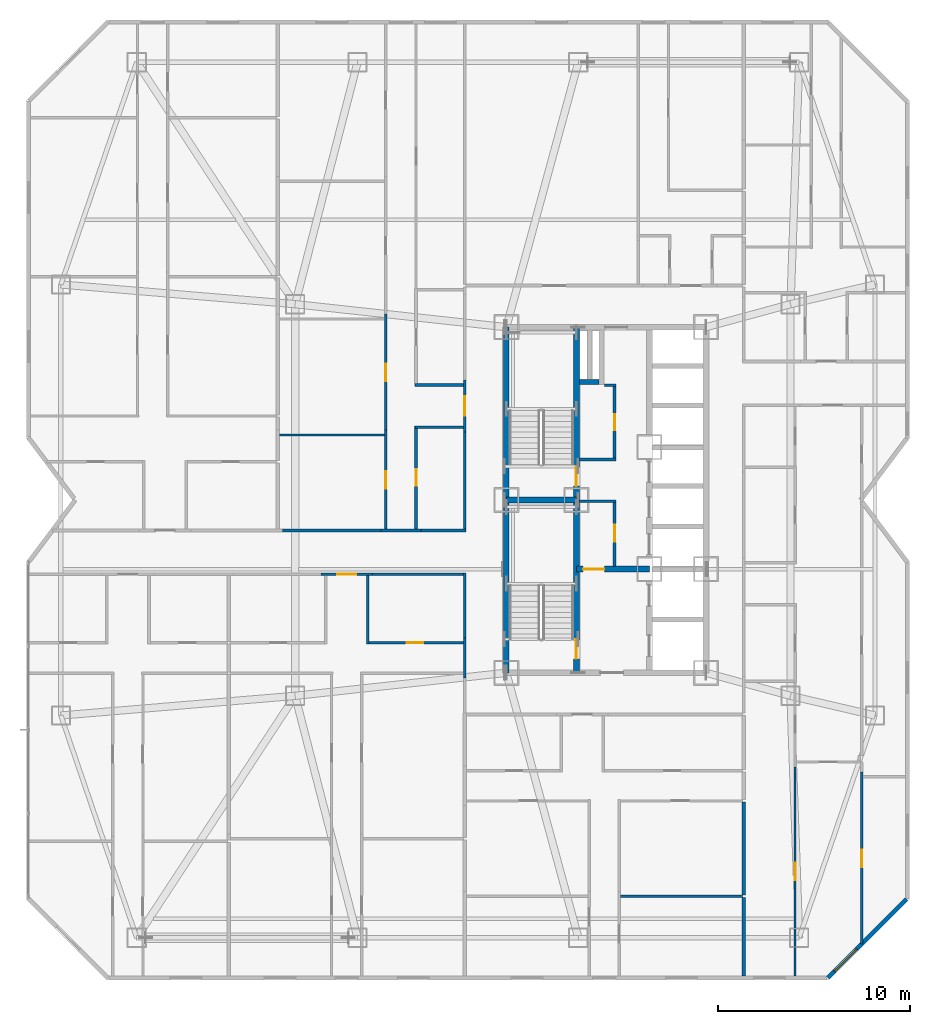
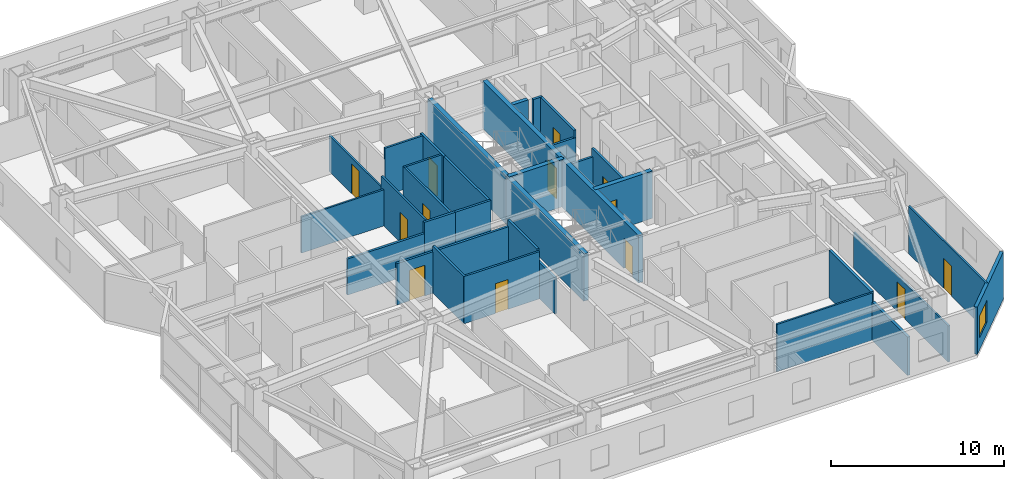
# One storey, part 13 of 18: 35 walls, 13 doors, 1 window, 14 openings.
"""IFC4 building model written with IfcOpenShell, lengths in metres."""

from ifc_helpers import new_model, si_unit, direction, frame, frame_2d, origin, place, context, subcontext, project, spatial, rectangle, extrude, material, layer, layer_set, type_object, element, fill, save


model = new_model("IFC4")

# Units and contexts
model_context = context("Model", 3, precision=1e-05, world=origin(), true_north=direction((0.0, 1.0)))
body_context = subcontext(model_context, "Body", "Model", "MODEL_VIEW")
ifc_project = project(units=[si_unit("LENGTHUNIT", "METRE"), si_unit("AREAUNIT", "SQUARE_METRE"), si_unit("VOLUMEUNIT", "CUBIC_METRE"), si_unit("PLANEANGLEUNIT", "RADIAN"), si_unit("MASSUNIT", "GRAM", prefix="KILO")], contexts=[model_context])

# Site, building, storey
site_placement = place(None, origin())
site = spatial("IfcSite", under=ifc_project, at=site_placement, CompositionType="ELEMENT")
building_placement = place(site_placement, origin())
building = spatial("IfcBuilding", under=site, at=building_placement, Name="Khamvora Tower", CompositionType="ELEMENT")
storey_placement = place(building_placement, frame((0.0, 0.0, 80.75)))
storey = spatial("IfcBuildingStorey", under=building, at=storey_placement, Name="L20", CompositionType="ELEMENT", Elevation=80.75)

# Walls
ifc_material_1 = material(Name="Concrete C50/60", Category="concrete")
ifc_layer_1 = layer(ifc_material_1, 0.300048828125)
ifc_layer_set_1 = layer_set([ifc_layer_1], Name="Concrete C50/60")
wall_type_1 = type_object("IfcWallType", Name="WAL-CORE-300", PredefinedType="SHEAR", material=ifc_layer_set_1)
for number, where, z_axis, x_axis, name in (
    (1, (29.0, 19.0, 0.0), (0.0, 0.0, 1.0), (0.0, 1.0, 0.0), "L20 central core west south wall"),
    (2, (29.0, 28.0, 0.0), (0.0, 0.0, 1.0), (0.0, 1.0, 0.0), "L20 central core west north wall"),
):
    element("IfcWall", number, at=place(storey_placement, frame(where, z_axis=z_axis, x_axis=x_axis)), inside=storey, type_object=wall_type_1, Name=name, PredefinedType="SHEAR", context=body_context, shape_type="SweptSolid", body=[
        extrude(rectangle(XDim=9.0, YDim=0.300048828125, at=frame_2d((4.5, 0.0))), origin(), (0.0, 0.0, 1.0), 3.330078125),
    ])

# Wall, opening, door
wall_1_placement = place(storey_placement, frame((32.64990234375, 19.0, 0.0), z_axis=(0.0, 0.0, 1.0), x_axis=(0.0, 1.0, 0.0)))
wall_1 = element("IfcWall", 3, at=wall_1_placement, inside=storey, type_object=wall_type_1, Name="L20 central core stair south spine wall", PredefinedType="SHEAR", context=body_context, shape_type="SweptSolid", body=[
    extrude(rectangle(XDim=9.0, YDim=0.300048828125, at=frame_2d((4.5, 0.0))), origin(), (0.0, 0.0, 1.0), 3.330078125),
])
opening_1_placement = place(wall_1_placement, frame((0.719970703125, 0.0, 0.0)))
opening_1 = element("IfcOpeningElement", 4, at=opening_1_placement, cuts=wall_1, Name="Opening D-ST1", PredefinedType="OPENING", context=body_context, shape_type="SweptSolid", body=[
    extrude(rectangle(XDim=1.0, YDim=2.14990234375, at=frame_2d((0.5, 1.074951171875))), frame((0.0, 0.159912109375, 0.0), z_axis=(0.0, -1.0, 0.0), x_axis=(1.0, 0.0, 0.0)), (0.0, 0.0, 1.0), 0.320068359375),
])
ifc_material_2 = material(Name="Powder-Coated Steel and Hardwood Leaf", Category="steel")
door_type_1 = type_object("IfcDoorType", Name="DOR-STAIR-1000", OperationType="NOTDEFINED", PredefinedType="DOOR", material=ifc_material_2)
door_1_placement = place(opening_1_placement, origin())
door_1 = element("IfcDoor", 5, at=door_1_placement, inside=storey, type_object=door_type_1, Name="L20 exit stair ST-01 fire door", OperationType="SINGLE_SWING_RIGHT", OverallHeight=2.14990234375, OverallWidth=1.0, PredefinedType="DOOR", context=body_context, shape_type="SweptSolid", body=[
    extrude(rectangle(XDim=1.0, YDim=2.14990234375, at=frame_2d((0.5, 1.074951171875))), frame((0.0, 0.02490234375, 0.0), z_axis=(0.0, -1.0, 0.0), x_axis=(1.0, 0.0, 0.0)), (0.0, 0.0, 1.0), 0.050048828125),
])
fill(opening_1, door_1)

wall_2_placement = place(storey_placement, frame((32.64990234375, 28.0, 0.0), z_axis=(0.0, 0.0, 1.0), x_axis=(0.0, 1.0, 0.0)))
wall_2 = element("IfcWall", 6, at=wall_2_placement, inside=storey, type_object=wall_type_1, Name="L20 central core stair north spine wall", PredefinedType="SHEAR", context=body_context, shape_type="SweptSolid", body=[
    extrude(rectangle(XDim=9.0, YDim=0.300048828125, at=frame_2d((4.5, 0.0))), origin(), (0.0, 0.0, 1.0), 3.330078125),
])
opening_2_placement = place(wall_2_placement, frame((0.719970703125, 0.0, 0.0)))
opening_2 = element("IfcOpeningElement", 7, at=opening_2_placement, cuts=wall_2, Name="Opening D-ST1", PredefinedType="OPENING", context=body_context, shape_type="SweptSolid", body=[
    extrude(rectangle(XDim=1.0, YDim=2.14990234375, at=frame_2d((0.5, 1.074951171875))), frame((0.0, 0.159912109375, 0.0), z_axis=(0.0, -1.0, 0.0), x_axis=(1.0, 0.0, 0.0)), (0.0, 0.0, 1.0), 0.320068359375),
])
door_2_placement = place(opening_2_placement, origin())
door_2 = element("IfcDoor", 8, at=door_2_placement, inside=storey, type_object=door_type_1, Name="L20 exit stair ST-02 fire door", OperationType="SINGLE_SWING_RIGHT", OverallHeight=2.14990234375, OverallWidth=1.0, PredefinedType="DOOR", context=body_context, shape_type="SweptSolid", body=[
    extrude(rectangle(XDim=1.0, YDim=2.14990234375, at=frame_2d((0.5, 1.074951171875))), frame((0.0, 0.02490234375, 0.0), z_axis=(0.0, -1.0, 0.0), x_axis=(1.0, 0.0, 0.0)), (0.0, 0.0, 1.0), 0.050048828125),
])
fill(opening_2, door_2)

# Wall
wall_3_placement = place(storey_placement, frame((29.0, 28.0, 0.0), z_axis=(0.0, 0.0, 1.0), x_axis=(1.0, 0.0, 0.0)))
element("IfcWall", 9, at=wall_3_placement, inside=storey, type_object=wall_type_1, Name="L20 central core stair cross wall", PredefinedType="SHEAR", context=body_context, shape_type="SweptSolid", body=[
    extrude(rectangle(XDim=3.64990234375, YDim=0.300048828125, at=frame_2d((1.824951171875, 0.0))), origin(), (0.0, 0.0, 1.0), 3.330078125),
])

# Wall, opening, door
wall_4_placement = place(storey_placement, frame((32.64990234375, 24.39990234375, 0.0), z_axis=(0.0, 0.0, 1.0), x_axis=(1.0, 0.0, 0.0)))
wall_4 = element("IfcWall", 10, at=wall_4_placement, inside=storey, type_object=wall_type_1, Name="L20 central core firefighting lobby north wall", PredefinedType="SHEAR", context=body_context, shape_type="SweptSolid", body=[
    extrude(rectangle(XDim=3.800048828125, YDim=0.300048828125, at=frame_2d((1.89990234375, 0.0))), origin(), (0.0, 0.0, 1.0), 3.330078125),
])
opening_3_placement = place(wall_4_placement, frame((0.35009765625, 0.0, 0.0)))
opening_3 = element("IfcOpeningElement", 11, at=opening_3_placement, cuts=wall_4, Name="Opening D-FF1", PredefinedType="OPENING", context=body_context, shape_type="SweptSolid", body=[
    extrude(rectangle(XDim=1.10009765625, YDim=2.14990234375, at=frame_2d((0.550048828125, 1.074951171875))), frame((0.0, 0.159912109375, 0.0), z_axis=(0.0, -1.0, 0.0), x_axis=(1.0, 0.0, 0.0)), (0.0, 0.0, 1.0), 0.320068359375),
])
door_type_2 = type_object("IfcDoorType", Name="DOR-FFLOB-1100", OperationType="NOTDEFINED", PredefinedType="DOOR", material=ifc_material_2)
door_3_placement = place(opening_3_placement, origin())
door_3 = element("IfcDoor", 12, at=door_3_placement, inside=storey, type_object=door_type_2, Name="L20 firefighting lobby smoke-seal fire door", OperationType="SINGLE_SWING_LEFT", OverallHeight=2.14990234375, OverallWidth=1.10009765625, PredefinedType="DOOR", context=body_context, shape_type="SweptSolid", body=[
    extrude(rectangle(XDim=1.10009765625, YDim=2.14990234375, at=frame_2d((0.550048828125, 1.074951171875))), frame((0.0, 0.02490234375, 0.0), z_axis=(0.0, -1.0, 0.0), x_axis=(1.0, 0.0, 0.0)), (0.0, 0.0, 1.0), 0.050048828125),
])
fill(opening_3, door_3)

# Wall
ifc_material_3 = material(Name="Fire-Rated Drywall and Steel Stud", Category="steel")
ifc_layer_2 = layer(ifc_material_3, 0.14990234375)
ifc_layer_set_2 = layer_set([ifc_layer_2], Name="Fire-Rated Drywall and Steel Stud")
wall_type_2 = type_object("IfcWallType", Name="WAL-CORR-150", PredefinedType="STANDARD", material=ifc_layer_set_2)
wall_5_placement = place(storey_placement, frame((32.7939453125, 30.114990234375, 0.0), z_axis=(0.0, 0.0, 1.0), x_axis=(1.0, 0.0, 0.0)))
element("IfcWall", 13, at=wall_5_placement, inside=storey, type_object=wall_type_2, Name="L20 interior partition wall 001", PredefinedType="STANDARD", context=body_context, shape_type="SweptSolid", body=[
    extrude(rectangle(XDim=1.906005859375, YDim=0.14990234375, at=frame_2d((0.953125, 0.0))), origin(), (0.0, 0.0, 1.0), 2.787109375),
])

# Wall, opening, door
wall_6_placement = place(storey_placement, frame((34.635009765625, 30.052001953125, 0.0), z_axis=(0.0, 0.0, 1.0), x_axis=(0.0, 1.0, 0.0)))
wall_6 = element("IfcWall", 14, at=wall_6_placement, inside=storey, type_object=wall_type_2, Name="L20 interior partition wall 002", PredefinedType="STANDARD", context=body_context, shape_type="SweptSolid", body=[
    extrude(rectangle(XDim=3.988037109375, YDim=0.14990234375, at=frame_2d((1.994140625, 0.0))), origin(), (0.0, 0.0, 1.0), 3.330078125),
])
opening_4_placement = place(wall_6_placement, frame((1.569091796875, 0.0, 0.0)))
opening_4 = element("IfcOpeningElement", 15, at=opening_4_placement, cuts=wall_6, Name="Opening D-WC1", PredefinedType="OPENING", context=body_context, shape_type="SweptSolid", body=[
    extrude(rectangle(XDim=0.85009765625, YDim=2.10009765625, at=frame_2d((0.425048828125, 1.050048828125))), frame((0.0, 0.0849609375, 0.0), z_axis=(0.0, -1.0, 0.0), x_axis=(1.0, 0.0, 0.0)), (0.0, 0.0, 1.0), 0.169921875),
])
door_type_3 = type_object("IfcDoorType", Name="DOR-WET-850", OperationType="NOTDEFINED", PredefinedType="DOOR", material=ifc_material_2)
door_4_placement = place(opening_4_placement, origin())
door_4 = element("IfcDoor", 16, at=door_4_placement, inside=storey, type_object=door_type_3, Name="L20 interior door PLL-CS1", OperationType="SINGLE_SWING_RIGHT", OverallHeight=2.10009765625, OverallWidth=0.85009765625, PredefinedType="DOOR", context=body_context, shape_type="SweptSolid", body=[
    extrude(rectangle(XDim=0.85009765625, YDim=2.10009765625, at=frame_2d((0.425048828125, 1.050048828125))), frame((0.0, 0.02490234375, 0.0), z_axis=(0.0, -1.0, 0.0), x_axis=(1.0, 0.0, 0.0)), (0.0, 0.0, 1.0), 0.050048828125),
])
fill(opening_4, door_4)

# Wall
wall_7_placement = place(storey_placement, frame((34.699951171875, 33.97509765625, 0.0), z_axis=(0.0, 0.0, 1.0), x_axis=(-1.0, 0.0, 0.0)))
element("IfcWall", 17, at=wall_7_placement, inside=storey, type_object=wall_type_2, Name="L20 interior partition wall 003", PredefinedType="STANDARD", context=body_context, shape_type="SweptSolid", body=[
    extrude(rectangle(XDim=0.599853515625, YDim=0.14990234375, at=frame_2d((0.2998046875, 0.0))), origin(), (0.0, 0.0, 1.0), 3.330078125),
])

# Wall, opening, door
wall_8_placement = place(storey_placement, frame((34.635009765625, 24.5439453125, 0.0), z_axis=(0.0, 0.0, 1.0), x_axis=(0.0, 1.0, 0.0)))
wall_8 = element("IfcWall", 18, at=wall_8_placement, inside=storey, type_object=wall_type_2, Name="L20 interior partition wall 004", PredefinedType="STANDARD", context=body_context, shape_type="SweptSolid", body=[
    extrude(rectangle(XDim=3.4560546875, YDim=0.14990234375, at=frame_2d((1.72802734375, 0.0))), origin(), (0.0, 0.0, 1.0), 3.330078125),
])
opening_5_placement = place(wall_8_placement, frame((1.278076171875, 0.0, 0.0)))
opening_5 = element("IfcOpeningElement", 19, at=opening_5_placement, cuts=wall_8, Name="Opening D-RM1", PredefinedType="OPENING", context=body_context, shape_type="SweptSolid", body=[
    extrude(rectangle(XDim=0.89990234375, YDim=2.10009765625, at=frame_2d((0.449951171875, 1.050048828125))), frame((0.0, 0.0849609375, 0.0), z_axis=(0.0, -1.0, 0.0), x_axis=(1.0, 0.0, 0.0)), (0.0, 0.0, 1.0), 0.169921875),
])
door_type_4 = type_object("IfcDoorType", Name="DOR-ROOM-900", OperationType="NOTDEFINED", PredefinedType="DOOR", material=ifc_material_2)
door_5_placement = place(opening_5_placement, origin())
door_5 = element("IfcDoor", 20, at=door_5_placement, inside=storey, type_object=door_type_4, Name="L20 interior door PLL-CS2", OperationType="SINGLE_SWING_LEFT", OverallHeight=2.10009765625, OverallWidth=0.89990234375, PredefinedType="DOOR", context=body_context, shape_type="SweptSolid", body=[
    extrude(rectangle(XDim=0.89990234375, YDim=2.10009765625, at=frame_2d((0.449951171875, 1.050048828125))), frame((0.0, 0.02490234375, 0.0), z_axis=(0.0, -1.0, 0.0), x_axis=(1.0, 0.0, 0.0)), (0.0, 0.0, 1.0), 0.050048828125),
])
fill(opening_5, door_5)

# Walls
wall_9_placement = place(storey_placement, frame((34.699951171875, 27.93505859375, 0.0), z_axis=(0.0, 0.0, 1.0), x_axis=(-1.0, 0.0, 0.0)))
element("IfcWall", 21, at=wall_9_placement, inside=storey, type_object=wall_type_2, Name="L20 interior partition wall 005", PredefinedType="STANDARD", context=body_context, shape_type="SweptSolid", body=[
    extrude(rectangle(XDim=1.906005859375, YDim=0.14990234375, at=frame_2d((0.953125, 0.0))), origin(), (0.0, 0.0, 1.0), 2.787109375),
])
wall_10_placement = place(storey_placement, frame((26.8349609375, 18.72607421875, 0.0), z_axis=(0.0, 0.0, 1.0), x_axis=(0.0, 1.0, 0.0)))
element("IfcWall", 22, at=wall_10_placement, inside=storey, type_object=wall_type_2, Name="L20 interior partition wall 010", PredefinedType="STANDARD", context=body_context, shape_type="SweptSolid", body=[
    extrude(rectangle(XDim=2.077880859375, YDim=0.14990234375, at=frame_2d((1.0390625, 0.0))), origin(), (0.0, 0.0, 1.0), 2.547119140625),
])

# Wall, opening, door
wall_11_placement = place(storey_placement, frame((22.032958984375, 24.135009765625, 0.0), z_axis=(0.0, 0.0, 1.0), x_axis=(-1.0, 0.0, 0.0)))
wall_11 = element("IfcWall", 23, at=wall_11_placement, inside=storey, type_object=wall_type_2, Name="L20 interior partition wall 011", PredefinedType="STANDARD", context=body_context, shape_type="SweptSolid", body=[
    extrude(rectangle(XDim=2.697998046875, YDim=0.14990234375, at=frame_2d((1.34912109375, 0.0))), origin(), (0.0, 0.0, 1.0), 2.9130859375),
])
opening_6_placement = place(wall_11_placement, frame((0.84912109375, 0.0, 0.0)))
opening_6 = element("IfcOpeningElement", 24, at=opening_6_placement, cuts=wall_11, Name="Opening D-U1", PredefinedType="OPENING", context=body_context, shape_type="SweptSolid", body=[
    extrude(rectangle(XDim=1.0, YDim=2.14990234375, at=frame_2d((0.5, 1.074951171875))), frame((0.0, 0.0849609375, 0.0), z_axis=(0.0, -1.0, 0.0), x_axis=(1.0, 0.0, 0.0)), (0.0, 0.0, 1.0), 0.169921875),
])
door_type_5 = type_object("IfcDoorType", Name="DOR-UNIT-1000", OperationType="NOTDEFINED", PredefinedType="DOOR", material=ifc_material_2)
door_6_placement = place(opening_6_placement, origin())
door_6 = element("IfcDoor", 25, at=door_6_placement, inside=storey, type_object=door_type_5, Name="L20 interior door COR-20WA2H", OperationType="SINGLE_SWING_RIGHT", OverallHeight=2.14990234375, OverallWidth=1.0, PredefinedType="DOOR", context=body_context, shape_type="SweptSolid", body=[
    extrude(rectangle(XDim=1.0, YDim=2.14990234375, at=frame_2d((0.5, 1.074951171875))), frame((0.0, 0.02490234375, 0.0), z_axis=(0.0, -1.0, 0.0), x_axis=(1.0, 0.0, 0.0)), (0.0, 0.0, 1.0), 0.050048828125),
])
fill(opening_6, door_6)

# Walls
wall_12_placement = place(storey_placement, frame((26.8349609375, 20.803955078125, 0.0), z_axis=(0.0, 0.0, 1.0), x_axis=(0.0, 1.0, 0.0)))
element("IfcWall", 26, at=wall_12_placement, inside=storey, type_object=wall_type_2, Name="L20 interior partition wall 012", PredefinedType="STANDARD", context=body_context, shape_type="SweptSolid", body=[
    extrude(rectangle(XDim=3.39599609375, YDim=0.14990234375, at=frame_2d((1.697998046875, 0.0))), origin(), (0.0, 0.0, 1.0), 3.330078125),
])
wall_13_placement = place(storey_placement, frame((26.89794921875, 24.135009765625, 0.0), z_axis=(0.0, 0.0, 1.0), x_axis=(-1.0, 0.0, 0.0)))
element("IfcWall", 27, at=wall_13_placement, inside=storey, type_object=wall_type_2, Name="L20 interior partition wall 013", PredefinedType="STANDARD", context=body_context, shape_type="SweptSolid", body=[
    extrude(rectangle(XDim=4.864990234375, YDim=0.14990234375, at=frame_2d((2.4326171875, 0.0))), origin(), (0.0, 0.0, 1.0), 2.9130859375),
])
wall_14_placement = place(storey_placement, frame((22.468017578125, 26.4150390625, 0.0), z_axis=(0.0, 0.0, 1.0), x_axis=(1.0, 0.0, 0.0)))
element("IfcWall", 28, at=wall_14_placement, inside=storey, type_object=wall_type_2, Name="L20 interior partition wall 020", PredefinedType="STANDARD", context=body_context, shape_type="SweptSolid", body=[
    extrude(rectangle(XDim=2.077880859375, YDim=0.14990234375, at=frame_2d((1.0390625, 0.0))), origin(), (0.0, 0.0, 1.0), 3.330078125),
])

# Wall, opening, door
wall_15_placement = place(storey_placement, frame((26.8349609375, 31.5419921875, 0.0), z_axis=(0.0, 0.0, 1.0), x_axis=(0.0, 1.0, 0.0)))
wall_15 = element("IfcWall", 29, at=wall_15_placement, inside=storey, type_object=wall_type_2, Name="L20 interior partition wall 021", PredefinedType="STANDARD", context=body_context, shape_type="SweptSolid", body=[
    extrude(rectangle(XDim=2.697998046875, YDim=0.14990234375, at=frame_2d((1.34912109375, 0.0))), origin(), (0.0, 0.0, 1.0), 3.330078125),
])
opening_7_placement = place(wall_15_placement, frame((0.84912109375, 0.0, 0.0)))
opening_7 = element("IfcOpeningElement", 30, at=opening_7_placement, cuts=wall_15, Name="Opening D-U1", PredefinedType="OPENING", context=body_context, shape_type="SweptSolid", body=[
    extrude(rectangle(XDim=1.0, YDim=2.14990234375, at=frame_2d((0.5, 1.074951171875))), frame((0.0, 0.0849609375, 0.0), z_axis=(0.0, -1.0, 0.0), x_axis=(1.0, 0.0, 0.0)), (0.0, 0.0, 1.0), 0.169921875),
])
door_7_placement = place(opening_7_placement, origin())
door_7 = element("IfcDoor", 31, at=door_7_placement, inside=storey, type_object=door_type_5, Name="L20 interior door COR-20WCH", OperationType="SINGLE_SWING_RIGHT", OverallHeight=2.14990234375, OverallWidth=1.0, PredefinedType="DOOR", context=body_context, shape_type="SweptSolid", body=[
    extrude(rectangle(XDim=1.0, YDim=2.14990234375, at=frame_2d((0.5, 1.074951171875))), frame((0.0, 0.02490234375, 0.0), z_axis=(0.0, -1.0, 0.0), x_axis=(1.0, 0.0, 0.0)), (0.0, 0.0, 1.0), 0.050048828125),
])
fill(opening_7, door_7)

# Walls
wall_16_placement = place(storey_placement, frame((24.5458984375, 26.4150390625, 0.0), z_axis=(0.0, 0.0, 1.0), x_axis=(1.0, 0.0, 0.0)))
element("IfcWall", 32, at=wall_16_placement, inside=storey, type_object=wall_type_2, Name="L20 interior partition wall 023", PredefinedType="STANDARD", context=body_context, shape_type="SweptSolid", body=[
    extrude(rectangle(XDim=2.35400390625, YDim=0.14990234375, at=frame_2d((1.177001953125, 0.0))), origin(), (0.0, 0.0, 1.0), 3.330078125),
])
wall_17_placement = place(storey_placement, frame((26.8349609375, 26.35205078125, 0.0), z_axis=(0.0, 0.0, 1.0), x_axis=(0.0, 1.0, 0.0)))
element("IfcWall", 33, at=wall_17_placement, inside=storey, type_object=wall_type_2, Name="L20 interior partition wall 024", PredefinedType="STANDARD", context=body_context, shape_type="SweptSolid", body=[
    extrude(rectangle(XDim=5.18994140625, YDim=0.14990234375, at=frame_2d((2.594970703125, 0.0))), origin(), (0.0, 0.0, 1.0), 3.330078125),
])
wall_18_placement = place(storey_placement, frame((17.35400390625, 26.4150390625, 0.0), z_axis=(0.0, 0.0, 1.0), x_axis=(1.0, 0.0, 0.0)))
element("IfcWall", 34, at=wall_18_placement, inside=storey, type_object=wall_type_2, Name="L20 interior partition wall 025", PredefinedType="STANDARD", context=body_context, shape_type="SweptSolid", body=[
    extrude(rectangle(XDim=5.114013671875, YDim=0.14990234375, at=frame_2d((2.55712890625, 0.0))), origin(), (0.0, 0.0, 1.0), 2.547119140625),
])
ifc_material_4 = material(Name="Acoustic Double-Stud Fire Wall", Category="gypsum")
ifc_layer_3 = layer(ifc_material_4, 0.179931640625)
ifc_layer_set_3 = layer_set([ifc_layer_3], Name="Acoustic Double-Stud Fire Wall")
wall_type_3 = type_object("IfcWallType", Name="WAL-CORR-180", PredefinedType="STANDARD", material=ifc_layer_set_3)
wall_19_placement = place(storey_placement, frame((41.364990234375, 7.2958984375, 0.0), z_axis=(0.0, 0.0, 1.0), x_axis=(0.0, -1.0, 0.0)))
element("IfcWall", 35, at=wall_19_placement, inside=storey, type_object=wall_type_3, Name="L20 interior partition wall 133", PredefinedType="STANDARD", context=body_context, shape_type="SweptSolid", body=[
    extrude(rectangle(XDim=4.083984375, YDim=0.179931640625, at=frame_2d((2.0419921875, 0.0))), origin(), (0.0, 0.0, 1.0), 2.702880859375),
])
wall_20_placement = place(storey_placement, frame((41.364990234375, 12.260986328125, 0.0), z_axis=(0.0, 0.0, 1.0), x_axis=(0.0, -1.0, 0.0)))
element("IfcWall", 36, at=wall_20_placement, inside=storey, type_object=wall_type_3, Name="L20 interior partition wall 134", PredefinedType="STANDARD", context=body_context, shape_type="SweptSolid", body=[
    extrude(rectangle(XDim=4.8349609375, YDim=0.179931640625, at=frame_2d((2.41748046875, 0.0))), origin(), (0.0, 0.0, 1.0), 3.330078125),
])

# Wall, opening, window
ifc_material_5 = material(Name="Precast concrete C40/50", Category="concrete")
ifc_layer_4 = layer(ifc_material_5, 0.219970703125)
ifc_layer_set_4 = layer_set([ifc_layer_4], Name="Precast concrete C40/50")
wall_type_4 = type_object("IfcWallType", Name="WAL-EXT-220", PredefinedType="STANDARD", material=ifc_layer_set_4)
wall_21_placement = place(storey_placement, frame((49.840087890625, 7.196044921875, 0.0), z_axis=(0.0, 0.0, 1.0), x_axis=(-0.707127905562, -0.70708565618, 0.0)))
wall_21 = element("IfcWall", 37, at=wall_21_placement, inside=storey, type_object=wall_type_4, Name="L20 exterior facade wall 13.1", PredefinedType="STANDARD", context=body_context, shape_type="SweptSolid", body=[
    extrude(rectangle(XDim=5.778564453125, YDim=0.219970703125, at=frame_2d((2.88916015625, 0.0))), origin(), (0.0, 0.0, 1.0), 3.330078125),
])
opening_8_placement = place(wall_21_placement, frame((3.65087890625, 0.0, 0.85009765625)))
opening_8 = element("IfcOpeningElement", 38, at=opening_8_placement, cuts=wall_21, Name="Opening WN-06", PredefinedType="OPENING", context=body_context, shape_type="SweptSolid", body=[
    extrude(rectangle(XDim=1.64990234375, YDim=1.550048828125, at=frame_2d((0.824951171875, 0.77490234375))), frame((0.0, 0.119873046875, 0.0), z_axis=(0.0, -1.0, 0.0), x_axis=(1.0, 0.0, 0.0)), (0.0, 0.0, 1.0), 0.239990234375),
])
ifc_material_6 = material(Name="Low-E Laminated Double Glazing", Category="glass")
window_type = type_object("IfcWindowType", Name="WIN-VIS-1650x1550", PartitioningType="SINGLE_PANEL", PredefinedType="WINDOW", material=ifc_material_6)
window_placement = place(opening_8_placement, origin())
window = element("IfcWindow", 39, at=window_placement, inside=storey, type_object=window_type, Name="L20 vision window 13.1.01", OverallHeight=1.550048828125, OverallWidth=1.64990234375, PartitioningType="SINGLE_PANEL", PredefinedType="WINDOW", context=body_context, shape_type="SweptSolid", body=[
    extrude(rectangle(XDim=1.64990234375, YDim=1.550048828125, at=frame_2d((0.824951171875, 0.77490234375))), frame((0.0, 0.030029296875, 0.0), z_axis=(0.0, -1.0, 0.0), x_axis=(1.0, 0.0, 0.0)), (0.0, 0.0, 1.0), 0.06005859375),
])
fill(opening_8, window)

# Wall, opening, door
ifc_material_7 = material(Name="Gypsum Plasterboard Partition", Category="gypsum")
ifc_layer_5 = layer(ifc_material_7, 0.1201171875)
ifc_layer_set_5 = layer_set([ifc_layer_5], Name="Gypsum Plasterboard Partition")
wall_type_5 = type_object("IfcWallType", Name="WAL-PART-120", PredefinedType="PARTITIONING", material=ifc_layer_set_5)
wall_22_placement = place(storey_placement, frame((22.717041015625, 26.47998046875, 0.0), z_axis=(0.0, 0.0, 1.0), x_axis=(0.0, 1.0, 0.0)))
wall_22 = element("IfcWall", 40, at=wall_22_placement, inside=storey, type_object=wall_type_5, Name="L20 interior partition wall 112", PredefinedType="PARTITIONING", context=body_context, shape_type="SweptSolid", body=[
    extrude(rectangle(XDim=5.157958984375, YDim=0.1201171875, at=frame_2d((2.5791015625, 0.0))), origin(), (0.0, 0.0, 1.0), 3.330078125),
])
opening_9_placement = place(wall_22_placement, frame((2.10791015625, 0.0, 0.0)))
opening_9 = element("IfcOpeningElement", 41, at=opening_9_placement, cuts=wall_22, Name="Opening D-RM1", PredefinedType="OPENING", context=body_context, shape_type="SweptSolid", body=[
    extrude(rectangle(XDim=0.89990234375, YDim=2.10009765625, at=frame_2d((0.449951171875, 1.050048828125))), frame((0.0, 0.070068359375, 0.0), z_axis=(0.0, -1.0, 0.0), x_axis=(1.0, 0.0, 0.0)), (0.0, 0.0, 1.0), 0.14013671875),
])
door_8_placement = place(opening_9_placement, origin())
door_8 = element("IfcDoor", 42, at=door_8_placement, inside=storey, type_object=door_type_4, Name="L20 interior door 20WCH-20WCL", OperationType="SINGLE_SWING_LEFT", OverallHeight=2.10009765625, OverallWidth=0.89990234375, PredefinedType="DOOR", context=body_context, shape_type="SweptSolid", body=[
    extrude(rectangle(XDim=0.89990234375, YDim=2.10009765625, at=frame_2d((0.449951171875, 1.050048828125))), frame((0.0, 0.02490234375, 0.0), z_axis=(0.0, -1.0, 0.0), x_axis=(1.0, 0.0, 0.0)), (0.0, 0.0, 1.0), 0.050048828125),
])
fill(opening_9, door_8)

wall_23_placement = place(storey_placement, frame((22.717041015625, 31.637939453125, 0.0), z_axis=(0.0, 0.0, 1.0), x_axis=(0.0, 1.0, 0.0)))
wall_23 = element("IfcWall", 43, at=wall_23_placement, inside=storey, type_object=wall_type_5, Name="L20 interior partition wall 113", PredefinedType="PARTITIONING", context=body_context, shape_type="SweptSolid", body=[
    extrude(rectangle(XDim=6.0380859375, YDim=0.1201171875, at=frame_2d((3.01904296875, 0.0))), origin(), (0.0, 0.0, 1.0), 2.547119140625),
])
opening_10_placement = place(wall_23_placement, frame((2.548095703125, 0.0, 0.0)))
opening_10 = element("IfcOpeningElement", 44, at=opening_10_placement, cuts=wall_23, Name="Opening D-RM1", PredefinedType="OPENING", context=body_context, shape_type="SweptSolid", body=[
    extrude(rectangle(XDim=0.89990234375, YDim=2.10009765625, at=frame_2d((0.449951171875, 1.050048828125))), frame((0.0, 0.070068359375, 0.0), z_axis=(0.0, -1.0, 0.0), x_axis=(1.0, 0.0, 0.0)), (0.0, 0.0, 1.0), 0.14013671875),
])
door_9_placement = place(opening_10_placement, origin())
door_9 = element("IfcDoor", 45, at=door_9_placement, inside=storey, type_object=door_type_4, Name="L20 interior door 20WCH-20WCR2", OperationType="SINGLE_SWING_RIGHT", OverallHeight=2.10009765625, OverallWidth=0.89990234375, PredefinedType="DOOR", context=body_context, shape_type="SweptSolid", body=[
    extrude(rectangle(XDim=0.89990234375, YDim=2.10009765625, at=frame_2d((0.449951171875, 1.050048828125))), frame((0.0, 0.02490234375, 0.0), z_axis=(0.0, -1.0, 0.0), x_axis=(1.0, 0.0, 0.0)), (0.0, 0.0, 1.0), 0.050048828125),
])
fill(opening_10, door_9)

# Walls
wall_24_placement = place(storey_placement, frame((17.18701171875, 31.388916015625, 0.0), z_axis=(0.0, 0.0, 1.0), x_axis=(1.0, 0.0, 0.0)))
element("IfcWall", 46, at=wall_24_placement, inside=storey, type_object=wall_type_5, Name="L20 interior partition wall 116", PredefinedType="PARTITIONING", context=body_context, shape_type="SweptSolid", body=[
    extrude(rectangle(XDim=5.47607421875, YDim=0.1201171875, at=frame_2d((2.738037109375, 0.0))), origin(), (0.0, 0.0, 1.0), 2.547119140625),
])
wall_25_placement = place(storey_placement, frame((34.93896484375, 7.361083984375, 0.0), z_axis=(0.0, 0.0, 1.0), x_axis=(1.0, 0.0, 0.0)))
element("IfcWall", 47, at=wall_25_placement, inside=storey, type_object=wall_type_5, Name="L20 interior partition wall 132", PredefinedType="PARTITIONING", context=body_context, shape_type="SweptSolid", body=[
    extrude(rectangle(XDim=6.361083984375, YDim=0.1201171875, at=frame_2d((3.1806640625, 0.0))), origin(), (0.0, 0.0, 1.0), 3.330078125),
])

# Wall, opening, door
wall_26_placement = place(storey_placement, frame((44.0380859375, 14.10498046875, 0.0), z_axis=(0.0, 0.0, 1.0), x_axis=(0.0, -1.0, 0.0)))
wall_26 = element("IfcWall", 48, at=wall_26_placement, inside=storey, type_object=wall_type_5, Name="L20 interior partition wall 147", PredefinedType="PARTITIONING", context=body_context, shape_type="SweptSolid", body=[
    extrude(rectangle(XDim=10.89306640625, YDim=0.1201171875, at=frame_2d((5.446533203125, 0.0))), origin(), (0.0, 0.0, 1.0), 2.547119140625),
])
opening_11_placement = place(wall_26_placement, frame((4.9970703125, 0.0, 0.0)))
opening_11 = element("IfcOpeningElement", 49, at=opening_11_placement, cuts=wall_26, Name="Opening D-RM1", PredefinedType="OPENING", context=body_context, shape_type="SweptSolid", body=[
    extrude(rectangle(XDim=0.89990234375, YDim=2.10009765625, at=frame_2d((0.449951171875, 1.050048828125))), frame((0.0, 0.070068359375, 0.0), z_axis=(0.0, -1.0, 0.0), x_axis=(1.0, 0.0, 0.0)), (0.0, 0.0, 1.0), 0.14013671875),
])
door_10_placement = place(opening_11_placement, origin())
door_10 = element("IfcDoor", 50, at=door_10_placement, inside=storey, type_object=door_type_4, Name="L20 interior door 20EAW1-20EAD", OperationType="SINGLE_SWING_LEFT", OverallHeight=2.10009765625, OverallWidth=0.89990234375, PredefinedType="DOOR", context=body_context, shape_type="SweptSolid", body=[
    extrude(rectangle(XDim=0.89990234375, YDim=2.10009765625, at=frame_2d((0.449951171875, 1.050048828125))), frame((0.0, 0.02490234375, 0.0), z_axis=(0.0, -1.0, 0.0), x_axis=(1.0, 0.0, 0.0)), (0.0, 0.0, 1.0), 0.050048828125),
])
fill(opening_11, door_10)

wall_27_placement = place(storey_placement, frame((47.51806640625, 13.8291015625, 0.0), z_axis=(0.0, 0.0, 1.0), x_axis=(0.0, -1.0, 0.0)))
wall_27 = element("IfcWall", 51, at=wall_27_placement, inside=storey, type_object=wall_type_5, Name="L20 interior partition wall 159", PredefinedType="PARTITIONING", context=body_context, shape_type="SweptSolid", body=[
    extrude(rectangle(XDim=8.966064453125, YDim=0.1201171875, at=frame_2d((4.48291015625, 0.0))), origin(), (0.0, 0.0, 1.0), 3.330078125),
])
opening_12_placement = place(wall_27_placement, frame((4.053955078125, 0.0, 0.0)))
opening_12 = element("IfcOpeningElement", 52, at=opening_12_placement, cuts=wall_27, Name="Opening D-RM1", PredefinedType="OPENING", context=body_context, shape_type="SweptSolid", body=[
    extrude(rectangle(XDim=0.89990234375, YDim=2.10009765625, at=frame_2d((0.449951171875, 1.050048828125))), frame((0.0, 0.070068359375, 0.0), z_axis=(0.0, -1.0, 0.0), x_axis=(1.0, 0.0, 0.0)), (0.0, 0.0, 1.0), 0.14013671875),
])
door_11_placement = place(opening_12_placement, origin())
door_11 = element("IfcDoor", 53, at=door_11_placement, inside=storey, type_object=door_type_4, Name="L20 interior door 20EAD-20EAL", OperationType="SINGLE_SWING_RIGHT", OverallHeight=2.10009765625, OverallWidth=0.89990234375, PredefinedType="DOOR", context=body_context, shape_type="SweptSolid", body=[
    extrude(rectangle(XDim=0.89990234375, YDim=2.10009765625, at=frame_2d((0.449951171875, 1.050048828125))), frame((0.0, 0.02490234375, 0.0), z_axis=(0.0, -1.0, 0.0), x_axis=(1.0, 0.0, 0.0)), (0.0, 0.0, 1.0), 0.050048828125),
])
fill(opening_12, door_11)

# Walls
ifc_material_8 = material(Name="Concrete C40/50", Category="concrete")
ifc_layer_6 = layer(ifc_material_8, 0.25)
ifc_layer_set_6 = layer_set([ifc_layer_6], Name="Concrete C40/50")
wall_type_6 = type_object("IfcWallType", Name="WAL-PODS-250", PredefinedType="SHEAR", material=ifc_layer_set_6)
wall_28_placement = place(storey_placement, frame((32.803955078125, 34.14990234375, 0.0), z_axis=(0.0, 0.0, 1.0), x_axis=(1.0, 0.0, 0.0)))
element("IfcWall", 54, at=wall_28_placement, inside=storey, type_object=wall_type_6, Name="L20 vertical MEP riser shaft south enclosure wall", PredefinedType="SHEAR", context=body_context, shape_type="SweptSolid", body=[
    extrude(rectangle(XDim=1.02197265625, YDim=0.25, at=frame_2d((0.510986328125, 0.0))), origin(), (0.0, 0.0, 1.0), 3.330078125),
])
ifc_material_9 = material(Name="Moisture-Resistant Plasterboard Partition", Category="gypsum")
ifc_layer_7 = layer(ifc_material_9, 0.135009765625)
ifc_layer_set_7 = layer_set([ifc_layer_7], Name="Moisture-Resistant Plasterboard Partition")
wall_type_7 = type_object("IfcWallType", Name="WAL-WET-135", PredefinedType="PARTITIONING", material=ifc_layer_set_7)
wall_29_placement = place(storey_placement, frame((21.783935546875, 24.070068359375, 0.0), z_axis=(0.0, 0.0, 1.0), x_axis=(0.0, -1.0, 0.0)))
element("IfcWall", 55, at=wall_29_placement, inside=storey, type_object=wall_type_7, Name="L20 interior partition wall 065", PredefinedType="PARTITIONING", context=body_context, shape_type="SweptSolid", body=[
    extrude(rectangle(XDim=3.580078125, YDim=0.135009765625, at=frame_2d((1.7900390625, 0.0))), origin(), (0.0, 0.0, 1.0), 3.330078125),
])

# Wall, opening, door
wall_30_placement = place(storey_placement, frame((21.718994140625, 20.554931640625, 0.0), z_axis=(0.0, 0.0, 1.0), x_axis=(1.0, 0.0, 0.0)))
wall_30 = element("IfcWall", 56, at=wall_30_placement, inside=storey, type_object=wall_type_7, Name="L20 interior partition wall 066", PredefinedType="PARTITIONING", context=body_context, shape_type="SweptSolid", body=[
    extrude(rectangle(XDim=5.051025390625, YDim=0.135009765625, at=frame_2d((2.525390625, 0.0))), origin(), (0.0, 0.0, 1.0), 3.330078125),
])
opening_13_placement = place(wall_30_placement, frame((2.10107421875, 0.0, 0.0)))
opening_13 = element("IfcOpeningElement", 57, at=opening_13_placement, cuts=wall_30, Name="Opening D-WC1", PredefinedType="OPENING", context=body_context, shape_type="SweptSolid", body=[
    extrude(rectangle(XDim=0.85009765625, YDim=2.10009765625, at=frame_2d((0.425048828125, 1.050048828125))), frame((0.0, 0.077392578125, 0.0), z_axis=(0.0, -1.0, 0.0), x_axis=(1.0, 0.0, 0.0)), (0.0, 0.0, 1.0), 0.155029296875),
])
door_12_placement = place(opening_13_placement, origin())
door_12 = element("IfcDoor", 58, at=door_12_placement, inside=storey, type_object=door_type_3, Name="L20 interior door 20WA2H-20WA2B", OperationType="SINGLE_SWING_LEFT", OverallHeight=2.10009765625, OverallWidth=0.85009765625, PredefinedType="DOOR", context=body_context, shape_type="SweptSolid", body=[
    extrude(rectangle(XDim=0.85009765625, YDim=2.10009765625, at=frame_2d((0.425048828125, 1.050048828125))), frame((0.0, 0.02490234375, 0.0), z_axis=(0.0, -1.0, 0.0), x_axis=(1.0, 0.0, 0.0)), (0.0, 0.0, 1.0), 0.050048828125),
])
fill(opening_13, door_12)

# Walls
for number, where, z_axis, x_axis, name in (
    (59, (24.23193359375, 33.990966796875, 0.0), (0.0, 0.0, 1.0), (1.0, 0.0, 0.0), "L20 interior partition wall 109"),
    (60, (26.77001953125, 31.791015625, 0.0), (0.0, 0.0, 1.0), (-1.0, 0.0, 0.0), "L20 interior partition wall 110"),
):
    element("IfcWall", number, at=place(storey_placement, frame(where, z_axis=z_axis, x_axis=x_axis)), inside=storey, type_object=wall_type_7, Name=name, PredefinedType="PARTITIONING", context=body_context, shape_type="SweptSolid", body=[
        extrude(rectangle(XDim=2.5380859375, YDim=0.135009765625, at=frame_2d((1.26904296875, 0.0))), origin(), (0.0, 0.0, 1.0), 3.330078125),
    ])

# Wall, opening, door
wall_31_placement = place(storey_placement, frame((24.297119140625, 31.85595703125, 0.0), z_axis=(0.0, 0.0, 1.0), x_axis=(0.0, -1.0, 0.0)))
wall_31 = element("IfcWall", 61, at=wall_31_placement, inside=storey, type_object=wall_type_7, Name="L20 interior partition wall 111", PredefinedType="PARTITIONING", context=body_context, shape_type="SweptSolid", body=[
    extrude(rectangle(XDim=5.3759765625, YDim=0.135009765625, at=frame_2d((2.68798828125, 0.0))), origin(), (0.0, 0.0, 1.0), 3.330078125),
])
opening_14_placement = place(wall_31_placement, frame((2.262939453125, 0.0, 0.0)))
opening_14 = element("IfcOpeningElement", 62, at=opening_14_placement, cuts=wall_31, Name="Opening D-RM2", PredefinedType="OPENING", context=body_context, shape_type="SweptSolid", body=[
    extrude(rectangle(XDim=0.85009765625, YDim=2.10009765625, at=frame_2d((0.425048828125, 1.050048828125))), frame((0.0, 0.077392578125, 0.0), z_axis=(0.0, -1.0, 0.0), x_axis=(1.0, 0.0, 0.0)), (0.0, 0.0, 1.0), 0.155029296875),
])
door_type_6 = type_object("IfcDoorType", Name="DOR-ROOM-850", OperationType="NOTDEFINED", PredefinedType="DOOR", material=ifc_material_2)
door_13_placement = place(opening_14_placement, origin())
door_13 = element("IfcDoor", 63, at=door_13_placement, inside=storey, type_object=door_type_6, Name="L20 interior door 20WCH-20WCK", OperationType="SINGLE_SWING_RIGHT", OverallHeight=2.10009765625, OverallWidth=0.85009765625, PredefinedType="DOOR", context=body_context, shape_type="SweptSolid", body=[
    extrude(rectangle(XDim=0.85009765625, YDim=2.10009765625, at=frame_2d((0.425048828125, 1.050048828125))), frame((0.0, 0.02490234375, 0.0), z_axis=(0.0, -1.0, 0.0), x_axis=(1.0, 0.0, 0.0)), (0.0, 0.0, 1.0), 0.050048828125),
])
fill(opening_14, door_13)

save(model, "model.ifc")
